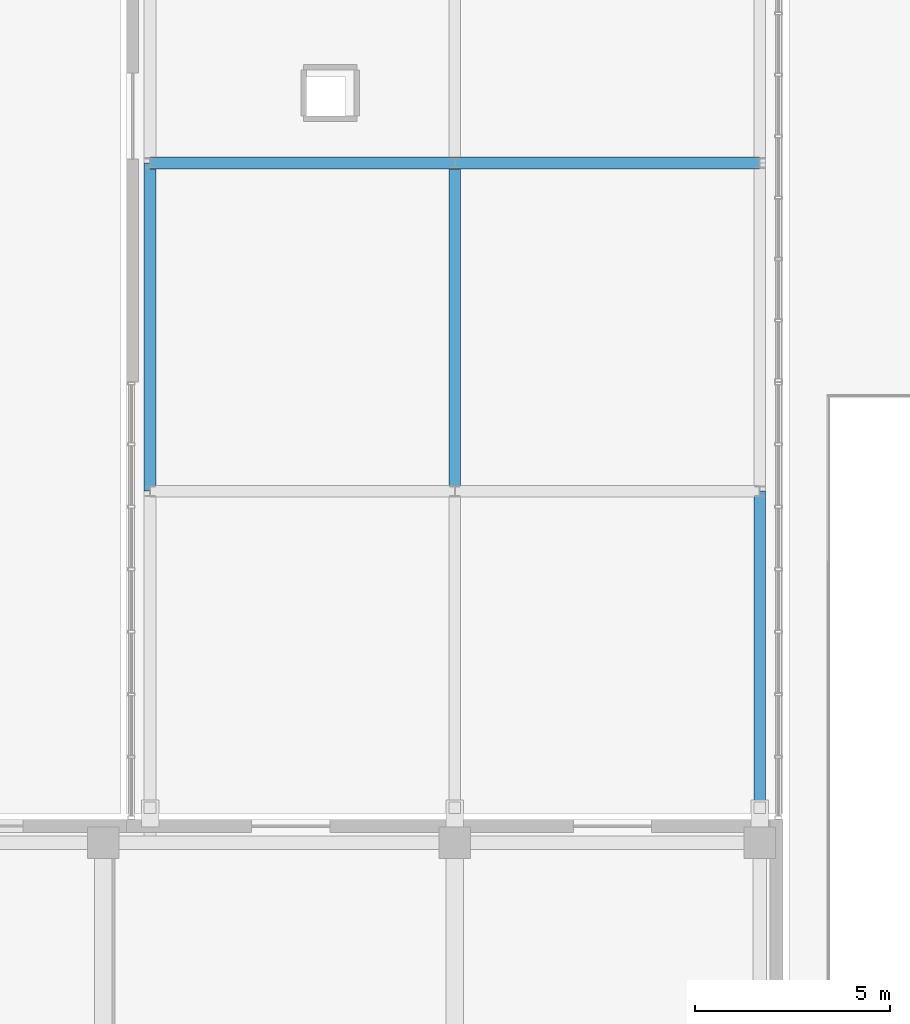
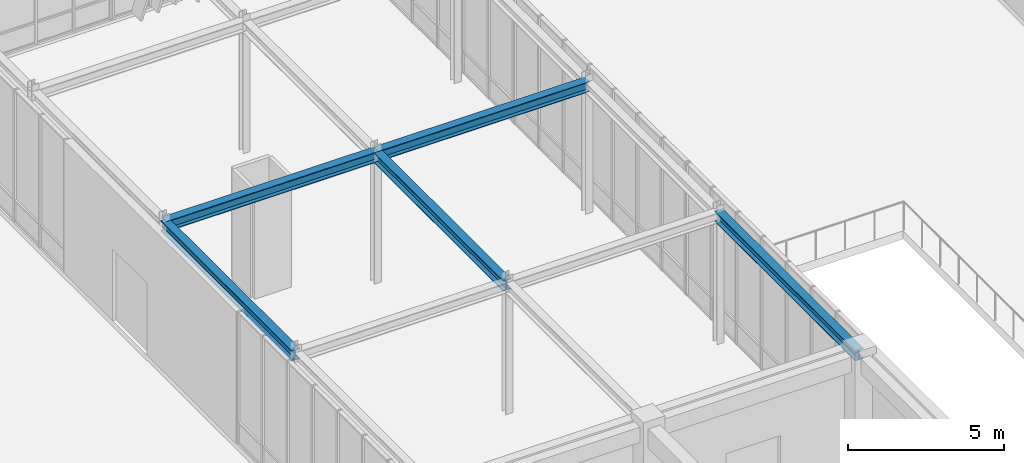
# One storey, part 19 of 122: 5 beams.
"""IFC4 building model written with IfcOpenShell, lengths in metres."""

import ifcopenshell
import ifcopenshell.guid

model = None  # the IFC model being written
_history = None  # IfcOwnerHistory: only IFC2X3 demands one
_inside = {}  # id of a spatial element -> (the spatial element, [elements in it])
_under = {}  # id of a project, library or spatial element -> (it, [spatial elements below it])
_declared = {}  # id of a project -> (the project, [libraries it declares])
_typed = {}  # id of a type object -> (the type object, [elements of that type])
_made_of = {}  # id of a material, layer set ... -> (it, [elements and type objects made of it])


def new_model(schema):
    """Start an empty IFC model of exactly this schema.

    Asked for "IFC4X3", IfcOpenShell would pick the latest addendum, in which some entities
    have other attributes; the version numbers below select the first issue.
    IFC2X3 requires an IfcOwnerHistory on every rooted entity: one is made here for all.
    """
    global model, _history
    if schema == "IFC4X3":
        model = ifcopenshell.file(schema_version=(4, 3, 0, 0))
    else:
        model = ifcopenshell.file(schema=schema)
    _inside.clear()
    _under.clear()
    _declared.clear()
    _typed.clear()
    _made_of.clear()
    _history = None
    if model.schema == "IFC2X3":
        org = make("IfcOrganization", Name="unknown")
        user = make(
            "IfcPersonAndOrganization",
            ThePerson=make("IfcPerson", FamilyName="unknown"),
            TheOrganization=org,
        )
        app = make(
            "IfcApplication",
            ApplicationDeveloper=org,
            Version="unknown",
            ApplicationFullName="unknown",
            ApplicationIdentifier="unknown",
        )
        _history = make(
            "IfcOwnerHistory",
            OwningUser=user,
            OwningApplication=app,
            ChangeAction="ADDED",
            CreationDate=0,
        )
    return model


def make(cls, **values):
    """One entity of the class cls with the attributes given. An attribute that is None is left unset."""
    return model.create_entity(
        cls, **{name: value for name, value in values.items() if value is not None}
    )


def rooted(cls, **values):
    """An entity with a GlobalId (a new one), such as an element, a storey or a relation."""
    return make(cls, GlobalId=ifcopenshell.guid.new(), OwnerHistory=_history, **values)


def si_unit(unit_type, name, prefix=None):
    """IfcSIUnit, for example si_unit("LENGTHUNIT", "METRE", prefix="MILLI")."""
    return make("IfcSIUnit", UnitType=unit_type, Prefix=prefix, Name=name)


def assignment(units):
    """IfcUnitAssignment: the units of a project."""
    return None if units is None else make("IfcUnitAssignment", Units=units)


def point(xyz):
    """IfcCartesianPoint."""
    return None if xyz is None else make("IfcCartesianPoint", Coordinates=xyz)


def direction(xyz):
    """IfcDirection."""
    return None if xyz is None else make("IfcDirection", DirectionRatios=xyz)


def frame(location, z_axis=None, x_axis=None):
    """IfcAxis2Placement3D, a coordinate frame: its origin and axes. An axis left out is left unset."""
    return make(
        "IfcAxis2Placement3D",
        Location=point(location),
        Axis=direction(z_axis),
        RefDirection=direction(x_axis),
    )


def frame_2d(location, x_axis=None):
    """IfcAxis2Placement2D, a coordinate frame in the plane: its origin and x axis."""
    return make(
        "IfcAxis2Placement2D", Location=point(location), RefDirection=direction(x_axis)
    )


def origin():
    """The frame at (0, 0, 0) with its axes left unset."""
    return frame((0.0, 0.0, 0.0))


def origin_2d():
    """The frame at (0, 0) in the plane with its x axis left unset."""
    return frame_2d((0.0, 0.0))


def place(relative_to, where):
    """IfcLocalPlacement: puts the frame where relative to a parent placement (None: the world)."""
    return make(
        "IfcLocalPlacement", PlacementRelTo=relative_to, RelativePlacement=where
    )


def context(
    kind, dimensions, precision=None, world=None, true_north=None, identifier=None
):
    """IfcGeometricRepresentationContext, for example the 3D "Model" context."""
    return make(
        "IfcGeometricRepresentationContext",
        ContextIdentifier=identifier,
        ContextType=kind,
        CoordinateSpaceDimension=dimensions,
        Precision=precision,
        WorldCoordinateSystem=world,
        TrueNorth=true_north,
    )


def subcontext(parent, identifier, kind, view, scale=None):
    """IfcGeometricRepresentationSubContext, for example "Body" below "Model"."""
    return make(
        "IfcGeometricRepresentationSubContext",
        ContextIdentifier=identifier,
        ContextType=kind,
        ParentContext=parent,
        TargetScale=scale,
        TargetView=view,
    )


def project(units=None, contexts=None):
    """IfcProject with its units and contexts."""
    return rooted(
        "IfcProject",
        Name="project",
        RepresentationContexts=contexts,
        UnitsInContext=assignment(units),
    )


def spatial(cls, under=None, at=None, **own):
    """A site, building, storey or space (cls), placed at a placement, below another one or the project."""
    s = rooted(cls, ObjectPlacement=at, **own)
    if under is not None:
        _under.setdefault(under.id(), (under, []))[1].append(s)
    return s


def profile(cls, at=None, kind="AREA", **sizes):
    """A parametric profile (cls). Its sizes go by their IFC names, for example OverallWidth=200.0."""
    return make(cls, ProfileType=kind, Position=at, **sizes)


def i_section(**sizes):
    """IfcIShapeProfileDef."""
    return profile("IfcIShapeProfileDef", **sizes)


def extrude(swept, where, along, depth):
    """IfcExtrudedAreaSolid: the profile swept, set in the frame where, extruded along a direction by depth."""
    return make(
        "IfcExtrudedAreaSolid",
        SweptArea=swept,
        Position=where,
        ExtrudedDirection=direction(along),
        Depth=depth,
    )


def shape(context_of_items, identifier, shape_type, items):
    """IfcShapeRepresentation: the items that make up one representation, for example the "Body"."""
    return make(
        "IfcShapeRepresentation",
        ContextOfItems=context_of_items,
        RepresentationIdentifier=identifier,
        RepresentationType=shape_type,
        Items=items,
    )


def material(Name=None, Category=None):
    """IfcMaterial."""
    return make("IfcMaterial", Name=Name, Category=Category)


def material_profile(
    of_material, cross_section, Name=None, Category=None, Priority=None
):
    """IfcMaterialProfile: a cross section and its material."""
    return make(
        "IfcMaterialProfile",
        Name=Name,
        Material=of_material,
        Profile=cross_section,
        Priority=Priority,
        Category=Category,
    )


def profile_set(profiles, Name=None, composite=None):
    """IfcMaterialProfileSet."""
    return make(
        "IfcMaterialProfileSet",
        Name=Name,
        MaterialProfiles=profiles,
        CompositeProfile=composite,
    )


def made_of(thing, what):
    """Note that an element or type object is made of a material, layer set ...; save() writes the relation."""
    if what is not None:
        _made_of.setdefault(what.id(), (what, []))[1].append(thing)
    return thing


def type_object(cls, material=None, **own):
    """A type object (cls), such as IfcWallType, which elements share."""
    return made_of(rooted(cls, **own), material)


def element(
    cls,
    number,
    at=None,
    inside=None,
    cuts=None,
    type_object=None,
    material=None,
    context=None,
    identifier="Body",
    shape_type=None,
    held_by="IfcProductDefinitionShape",
    body=None,
    shapes=None,
    **own,
):
    """One element of the class cls, such as IfcWall. Its Tag is "e" and its number.

    at: its placement. inside: the storey or other place that contains it. cuts: it is an
    opening in that element (IfcRelVoidsElement). A single representation is given by context,
    identifier, shape_type and body (its items); several are given by shapes. held_by: the class
    of the entity that holds the representations. save() writes the other relations.
    """
    e = rooted(cls, Tag="e%d" % number, ObjectPlacement=at, **own)
    if body is not None:
        shapes = [shape(context, identifier, shape_type, body)]
    if shapes is not None:
        e.Representation = make(held_by, Representations=shapes)
    if inside is not None:
        _inside.setdefault(inside.id(), (inside, []))[1].append(e)
    if cuts is not None:
        rooted(
            "IfcRelVoidsElement", RelatingBuildingElement=cuts, RelatedOpeningElement=e
        )
    if type_object is not None:
        _typed.setdefault(type_object.id(), (type_object, []))[1].append(e)
    return made_of(e, material)


def aggregate(whole, parts):
    """IfcRelAggregates: a whole, such as a stair, and the parts it consists of."""
    return rooted("IfcRelAggregates", RelatingObject=whole, RelatedObjects=parts)


def save(model, path):
    """Write the relations noted so far, then the file.

    IfcRelAggregates (storeys below a building ...), IfcRelContainedInSpatialStructure (elements
    in a storey), IfcRelDefinesByType, IfcRelAssociatesMaterial and IfcRelDeclares: one each for
    every whole, place, type object, material and project.
    """
    for whole, parts in _under.values():
        aggregate(whole, parts)
    for where, things in _inside.values():
        rooted(
            "IfcRelContainedInSpatialStructure",
            RelatedElements=things,
            RelatingStructure=where,
        )
    for kind, things in _typed.values():
        rooted("IfcRelDefinesByType", RelatedObjects=things, RelatingType=kind)
    for what, things in _made_of.values():
        rooted("IfcRelAssociatesMaterial", RelatedObjects=things, RelatingMaterial=what)
    for by, libraries in _declared.values():
        rooted("IfcRelDeclares", RelatingContext=by, RelatedDefinitions=libraries)
    model.write(path)


model = new_model("IFC4")

# Units and contexts
model_context = context("Model", 3, precision=1e-05, world=origin(), true_north=direction((0.0, 1.0)))
body_context = subcontext(model_context, "Body", "Model", "MODEL_VIEW")
ifc_project = project(units=[si_unit("LENGTHUNIT", "METRE"), si_unit("AREAUNIT", "SQUARE_METRE"), si_unit("VOLUMEUNIT", "CUBIC_METRE"), si_unit("PLANEANGLEUNIT", "RADIAN"), si_unit("MASSUNIT", "GRAM", prefix="KILO")], contexts=[model_context])

# Site, building, storey
site_placement = place(None, origin())
site = spatial("IfcSite", under=ifc_project, at=site_placement, CompositionType="ELEMENT")
building_placement = place(site_placement, origin())
building = spatial("IfcBuilding", under=site, at=building_placement, Name="Zayran Congress Hotel", CompositionType="ELEMENT")
storey_placement = place(building_placement, origin())
storey = spatial("IfcBuildingStorey", under=building, at=storey_placement, Name="L00", CompositionType="ELEMENT", Elevation=0.0)

# Beams
ifc_material = material(Name="Steel S355", Category="steel")
ifc_material_profile = material_profile(ifc_material, i_section(OverallWidth=0.300048828125, OverallDepth=0.39990234375, WebThickness=0.013427734375, FlangeThickness=0.02392578125, at=origin_2d()), Name="HEB 400")
ifc_profile_set = profile_set([ifc_material_profile], Name="Steel S355")
beam_type = type_object("IfcBeamType", Name="TP-BM-10", PredefinedType="BEAM", material=ifc_profile_set)
for number, where, z_axis, x_axis, name in (
    (1, (76.199951171875, 50.800048828125, 4.949951171875), (1.0, 0.0, 0.0), (0.0, 1.0, 0.0), "BM-BR2-L00-2442"),
    (2, (84.0, 50.800048828125, 4.949951171875), (1.0, 0.0, 0.0), (0.0, 1.0, 0.0), "BM-BR2-L00-2443"),
):
    element("IfcBeam", number, at=place(storey_placement, frame(where, z_axis=z_axis, x_axis=x_axis)), inside=storey, type_object=beam_type, Name=name, PredefinedType="BEAM", context=body_context, shape_type="SweptSolid", body=[
        extrude(i_section(OverallWidth=0.300048828125, OverallDepth=0.39990234375, WebThickness=0.013427734375, FlangeThickness=0.02392578125, at=origin_2d()), origin(), (0.0, 0.0, 1.0), 7.800048828125),
    ])
for number, where, z_axis, x_axis, name in (
    (3, (76.199951171875, 42.39990234375, 4.949951171875), (0.0, 1.0, 0.0), (-1.0, 0.0, 0.0), "BM-BR2Y-L00-2447"),
    (4, (84.0, 42.39990234375, 4.949951171875), (0.0, 1.0, 0.0), (-1.0, 0.0, 0.0), "BM-BR2Y-L00-2451"),
):
    element("IfcBeam", number, at=place(storey_placement, frame(where, z_axis=z_axis, x_axis=x_axis)), inside=storey, type_object=beam_type, Name=name, PredefinedType="BEAM", context=body_context, shape_type="SweptSolid", body=[
        extrude(i_section(OverallWidth=0.300048828125, OverallDepth=0.39990234375, WebThickness=0.013427734375, FlangeThickness=0.02392578125, at=origin_2d()), origin(), (0.0, 0.0, 1.0), 8.400146484375),
    ])
beam_placement = place(storey_placement, frame((91.800048828125, 33.39990234375, 4.949951171875), z_axis=(0.0, 1.0, 0.0), x_axis=(-1.0, 0.0, 0.0)))
element("IfcBeam", 5, at=beam_placement, inside=storey, type_object=beam_type, Name="BM-BR2Y-L00-2454", PredefinedType="BEAM", context=body_context, shape_type="SweptSolid", body=[
    extrude(i_section(OverallWidth=0.300048828125, OverallDepth=0.39990234375, WebThickness=0.013427734375, FlangeThickness=0.02392578125, at=origin_2d()), origin(), (0.0, 0.0, 1.0), 9.0),
])

save(model, "model.ifc")
